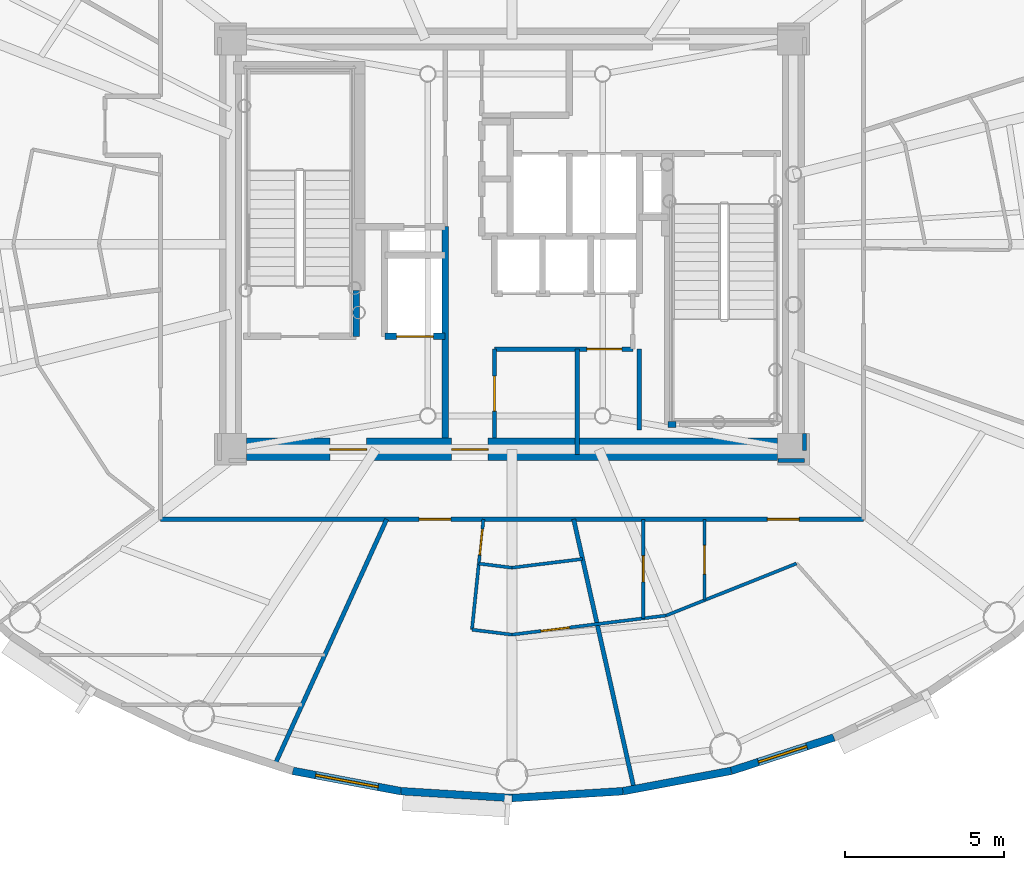
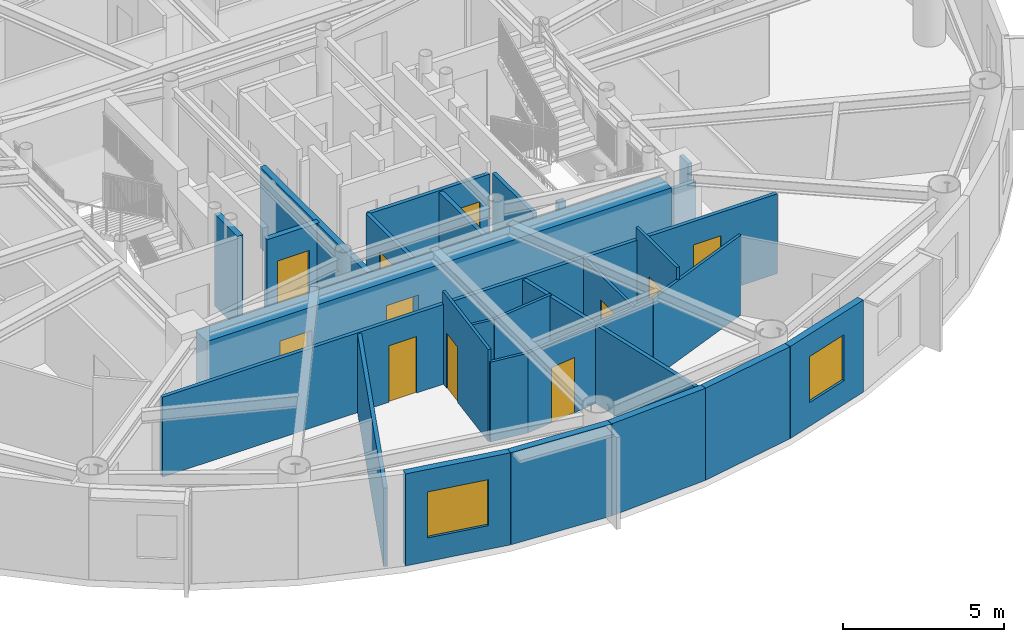
# One storey, part 6 of 18: 27 walls, 11 doors, 2 windows, 13 openings.
"""IFC4 building model written with IfcOpenShell, lengths in metres."""

from ifc_helpers import new_model, si_unit, direction, frame, frame_2d, origin, origin_2d, place, context, subcontext, project, spatial, rectangle, extrude, source, transform, mapped, material, layer, layer_set, type_object, element, fill, save


model = new_model("IFC4")

# Units and contexts
model_context = context("Model", 3, precision=1e-05, world=origin(), true_north=direction((0.0, 1.0)))
body_context = subcontext(model_context, "Body", "Model", "MODEL_VIEW")
ifc_project = project(units=[si_unit("LENGTHUNIT", "METRE"), si_unit("AREAUNIT", "SQUARE_METRE"), si_unit("VOLUMEUNIT", "CUBIC_METRE"), si_unit("PLANEANGLEUNIT", "RADIAN"), si_unit("MASSUNIT", "GRAM", prefix="KILO")], contexts=[model_context])

# Site, building, storey
site_placement = place(None, origin())
site = spatial("IfcSite", under=ifc_project, at=site_placement, CompositionType="ELEMENT")
building_placement = place(site_placement, origin())
building = spatial("IfcBuilding", under=site, at=building_placement, Name="Linh Dai School and Residence Tower", CompositionType="ELEMENT")
storey_placement = place(building_placement, frame((0.0, 0.0, 295.5)))
storey = spatial("IfcBuildingStorey", under=building, at=storey_placement, Name="L73", CompositionType="ELEMENT", Elevation=295.5)

# Wall, opening, window
ifc_material_1 = material(Name="Precast Concrete B45 (C35/45)", Category="concrete")
ifc_layer_1 = layer(ifc_material_1, 0.239990234375)
ifc_layer_set_1 = layer_set([ifc_layer_1], Name="Precast Concrete B45 (C35/45)")
wall_type_1 = type_object("IfcWallType", Name="EW-TC-240", PredefinedType="SOLIDWALL", material=ifc_layer_set_1)
wall_1_placement = place(storey_placement, frame((32.51123046875, 9.800048828125, 0.0), z_axis=(0.0, 0.0, 1.0), x_axis=(-0.982782655757, 0.184765395959, 0.0)))
wall_1 = element("IfcWall", 1, at=wall_1_placement, inside=storey, type_object=wall_type_1, Name="L73 Terracotta Exterior Wall 29", PredefinedType="SOLIDWALL", context=body_context, shape_type="SweptSolid", body=[
    extrude(rectangle(XDim=3.4619140625, YDim=0.239990234375, at=frame_2d((1.73095703125, 0.0))), origin(), (0.0, 0.0, 1.0), 3.5),
])
opening_1_placement = place(wall_1_placement, frame((0.73095703125, 0.0, 0.89990234375)))
opening_1 = element("IfcOpeningElement", 2, at=opening_1_placement, cuts=wall_1, Name="Opening W1", PredefinedType="OPENING", context=body_context, shape_type="SweptSolid", body=[
    extrude(rectangle(XDim=2.0, YDim=1.75, at=origin_2d()), frame((1.0, 0.1298828125, 0.875), z_axis=(0.0, -1.0, 0.0), x_axis=(1.0, 0.0, 0.0)), (0.0, 0.0, 1.0), 0.260009765625),
])
ifc_material_2 = material(Name="Double Low-E Insulated Glazing", Category="glass")
window_type_1 = type_object("IfcWindowType", Name="WN-RES-2000x1750", PartitioningType="DOUBLE_PANEL_VERTICAL", PredefinedType="WINDOW", material=ifc_material_2)
shared_shape_1 = source(origin(), body_context, "Body", "SweptSolid", [
    extrude(rectangle(XDim=2.0, YDim=1.75, at=origin_2d()), frame((1.0, 0.030029296875, 0.875), z_axis=(0.0, -1.0, 0.0), x_axis=(1.0, 0.0, 0.0)), (0.0, 0.0, 1.0), 0.06005859375),
])
window_1_placement = place(opening_1_placement, origin())
window_1 = element("IfcWindow", 3, at=window_1_placement, inside=storey, type_object=window_type_1, Name="L73 Exterior Window 29.1", OverallHeight=1.75, OverallWidth=2.0, PartitioningType="DOUBLE_PANEL_VERTICAL", PredefinedType="WINDOW", context=body_context, shape_type="MappedRepresentation", body=[
    mapped(shared_shape_1, transform((0.0, 0.0, 0.0), x_axis=(1.0, 0.0, 0.0), y_axis=(0.0, 1.0, 0.0), z_axis=(0.0, 0.0, 1.0), scale=1.0)),
])
fill(opening_1, window_1)

# Walls
for number, where, z_axis, x_axis, name in (
    (4, (36.0, 9.5849609375, 0.0), (0.0, 0.0, 1.0), (-0.998104946479, 0.061534671648, 0.0), "L73 Terracotta Exterior Wall 30"),
    (5, (39.48876953125, 9.800048828125, 0.0), (0.0, 0.0, 1.0), (-0.998104946479, -0.061534671648, 0.0), "L73 Terracotta Exterior Wall 31"),
):
    element("IfcWall", number, at=place(storey_placement, frame(where, z_axis=z_axis, x_axis=x_axis)), inside=storey, type_object=wall_type_1, Name=name, PredefinedType="SOLIDWALL", context=body_context, shape_type="SweptSolid", body=[
        extrude(rectangle(XDim=3.495361328125, YDim=0.239990234375, at=frame_2d((1.74755859375, 0.0))), origin(), (0.0, 0.0, 1.0), 3.5),
    ])
wall_2_placement = place(storey_placement, frame((42.89111328125, 10.439697265625, 0.0), z_axis=(0.0, 0.0, 1.0), x_axis=(-0.982782655757, -0.184765395959, 0.0)))
element("IfcWall", 6, at=wall_2_placement, inside=storey, type_object=wall_type_1, Name="L73 Terracotta Exterior Wall 32", PredefinedType="SOLIDWALL", context=body_context, shape_type="SweptSolid", body=[
    extrude(rectangle(XDim=3.4619140625, YDim=0.239990234375, at=frame_2d((1.73095703125, 0.0))), origin(), (0.0, 0.0, 1.0), 3.5),
])

# Wall, opening, window
wall_3_placement = place(storey_placement, frame((46.123046875, 11.48779296875, 0.0), z_axis=(0.0, 0.0, 1.0), x_axis=(-0.95123136723, -0.308478339592, 0.0)))
wall_3 = element("IfcWall", 7, at=wall_3_placement, inside=storey, type_object=wall_type_1, Name="L73 Terracotta Exterior Wall 33", PredefinedType="SOLIDWALL", context=body_context, shape_type="SweptSolid", body=[
    extrude(rectangle(XDim=3.397705078125, YDim=0.239990234375, at=frame_2d((1.69873046875, 0.0))), origin(), (0.0, 0.0, 1.0), 3.5),
])
opening_2_placement = place(wall_3_placement, frame((0.89892578125, 0.0, 0.89990234375)))
opening_2 = element("IfcOpeningElement", 8, at=opening_2_placement, cuts=wall_3, Name="Opening W2", PredefinedType="OPENING", context=body_context, shape_type="SweptSolid", body=[
    extrude(rectangle(XDim=1.60009765625, YDim=1.75, at=origin_2d()), frame((0.800048828125, 0.1298828125, 0.875), z_axis=(0.0, -1.0, 0.0), x_axis=(1.0, 0.0, 0.0)), (0.0, 0.0, 1.0), 0.260009765625),
])
window_type_2 = type_object("IfcWindowType", Name="WN-RES-1600x1750", PartitioningType="DOUBLE_PANEL_VERTICAL", PredefinedType="WINDOW", material=ifc_material_2)
shared_shape_2 = source(origin(), body_context, "Body", "SweptSolid", [
    extrude(rectangle(XDim=1.60009765625, YDim=1.75, at=origin_2d()), frame((0.800048828125, 0.030029296875, 0.875), z_axis=(0.0, -1.0, 0.0), x_axis=(1.0, 0.0, 0.0)), (0.0, 0.0, 1.0), 0.06005859375),
])
window_2_placement = place(opening_2_placement, origin())
window_2 = element("IfcWindow", 9, at=window_2_placement, inside=storey, type_object=window_type_2, Name="L73 Exterior Window 33.1", OverallHeight=1.75, OverallWidth=1.60009765625, PartitioningType="DOUBLE_PANEL_VERTICAL", PredefinedType="WINDOW", context=body_context, shape_type="MappedRepresentation", body=[
    mapped(shared_shape_2, transform((0.0, 0.0, 0.0), x_axis=(1.0, 0.0, 0.0), y_axis=(0.0, 1.0, 0.0), z_axis=(0.0, 0.0, 1.0), scale=1.0)),
])
fill(opening_2, window_2)

# Wall, openings, doors
ifc_material_3 = material(Name="Autoclaved Aerated Concrete Blockwork", Category="masonry")
ifc_layer_2 = layer(ifc_material_3, 0.135009765625)
ifc_layer_set_2 = layer_set([ifc_layer_2], Name="Autoclaved Aerated Concrete Blockwork")
wall_type_2 = type_object("IfcWallType", Name="IW-CORR-135-EI90", PredefinedType="PARTITIONING", material=ifc_layer_set_2)
wall_4_placement = place(storey_placement, frame((24.949951171875, 18.35009765625, 0.0), z_axis=(0.0, 0.0, 1.0), x_axis=(1.0, 0.0, 0.0)))
wall_4 = element("IfcWall", 10, at=wall_4_placement, inside=storey, type_object=wall_type_2, Name="L73 Interior Partition Wall 017", PredefinedType="PARTITIONING", context=body_context, shape_type="SweptSolid", body=[
    extrude(rectangle(XDim=22.10009765625, YDim=0.135009765625, at=frame_2d((11.050048828125, 0.0))), origin(), (0.0, 0.0, 1.0), 3.034912109375),
])
opening_3_placement = place(wall_4_placement, frame((8.130615234375, 0.0, 0.0)))
opening_3 = element("IfcOpeningElement", 11, at=opening_3_placement, cuts=wall_4, Name="Opening D03", PredefinedType="OPENING", context=body_context, shape_type="SweptSolid", body=[
    extrude(rectangle(XDim=1.0, YDim=2.14990234375, at=origin_2d()), frame((0.5, 0.07763671875, 1.074951171875), z_axis=(0.0, -1.0, 0.0), x_axis=(1.0, 0.0, 0.0)), (0.0, 0.0, 1.0), 0.155029296875),
])
opening_4_placement = place(wall_4_placement, frame((19.08056640625, 0.0, 0.0)))
opening_4 = element("IfcOpeningElement", 12, at=opening_4_placement, cuts=wall_4, Name="Opening D03", PredefinedType="OPENING", context=body_context, shape_type="SweptSolid", body=[
    extrude(rectangle(XDim=1.0, YDim=2.14990234375, at=origin_2d()), frame((0.5, 0.07763671875, 1.074951171875), z_axis=(0.0, -1.0, 0.0), x_axis=(1.0, 0.0, 0.0)), (0.0, 0.0, 1.0), 0.155029296875),
])
ifc_material_4 = material(Name="Fire-Rated Solid Timber Entrance Door", Category="wood")
door_type_1 = type_object("IfcDoorType", Name="DR-FLAT-1000x2150-FD60S", OperationType="NOTDEFINED", PredefinedType="DOOR", material=ifc_material_4)
shared_shape_3 = source(origin(), body_context, "Body", "SweptSolid", [
    extrude(rectangle(XDim=1.0, YDim=2.14990234375, at=origin_2d()), frame((0.5, 0.02490234375, 1.074951171875), z_axis=(0.0, -1.0, 0.0), x_axis=(1.0, 0.0, 0.0)), (0.0, 0.0, 1.0), 0.050048828125),
])
door_1_placement = place(opening_3_placement, origin())
door_1 = element("IfcDoor", 13, at=door_1_placement, inside=storey, type_object=door_type_1, Name="L73 U7305 Apartment Entrance Door", OperationType="SINGLE_SWING_RIGHT", OverallHeight=2.14990234375, OverallWidth=1.0, PredefinedType="DOOR", context=body_context, shape_type="MappedRepresentation", body=[
    mapped(shared_shape_3, transform((0.0, 0.0, 0.0), x_axis=(1.0, 0.0, 0.0), y_axis=(0.0, 1.0, 0.0), z_axis=(0.0, 0.0, 1.0), scale=1.0)),
])
fill(opening_3, door_1)
door_2_placement = place(opening_4_placement, origin())
door_2 = element("IfcDoor", 14, at=door_2_placement, inside=storey, type_object=door_type_1, Name="L73 U7306 Apartment Entrance Door", OperationType="SINGLE_SWING_LEFT", OverallHeight=2.14990234375, OverallWidth=1.0, PredefinedType="DOOR", context=body_context, shape_type="MappedRepresentation", body=[
    mapped(shared_shape_3, transform((0.0, 0.0, 0.0), x_axis=(1.0, 0.0, 0.0), y_axis=(0.0, 1.0, 0.0), z_axis=(0.0, 0.0, 1.0), scale=1.0)),
])
fill(opening_4, door_2)

# Wall
wall_5_placement = place(storey_placement, frame((28.537353515625, 10.61962890625, 0.0), z_axis=(0.0, 0.0, 1.0), x_axis=(0.414582330606, 0.910011808247, 0.0)))
element("IfcWall", 15, at=wall_5_placement, inside=storey, type_object=wall_type_2, Name="L73 Interior Partition Wall 025", PredefinedType="PARTITIONING", context=body_context, shape_type="SweptSolid", body=[
    extrude(rectangle(XDim=8.49462890625, YDim=0.135009765625, at=frame_2d((4.247314453125, 0.0))), origin(), (0.0, 0.0, 1.0), 2.985107421875),
])

# Wall, opening, door
wall_6_placement = place(storey_placement, frame((35.449951171875, 20.89990234375, 0.0), z_axis=(0.0, 0.0, 1.0), x_axis=(0.0, 1.0, 0.0)))
wall_6 = element("IfcWall", 16, at=wall_6_placement, inside=storey, type_object=wall_type_2, Name="L73 Interior Partition Wall 049", PredefinedType="PARTITIONING", context=body_context, shape_type="SweptSolid", body=[
    extrude(rectangle(XDim=2.800048828125, YDim=0.135009765625, at=frame_2d((1.39990234375, 0.0))), origin(), (0.0, 0.0, 1.0), 3.0849609375),
])
opening_5_placement = place(wall_6_placement, frame((0.85009765625, 0.0, 0.0)))
opening_5 = element("IfcOpeningElement", 17, at=opening_5_placement, cuts=wall_6, Name="Opening D07", PredefinedType="OPENING", context=body_context, shape_type="SweptSolid", body=[
    extrude(rectangle(XDim=1.10009765625, YDim=2.14990234375, at=origin_2d()), frame((0.550048828125, 0.07763671875, 1.074951171875), z_axis=(0.0, -1.0, 0.0), x_axis=(1.0, 0.0, 0.0)), (0.0, 0.0, 1.0), 0.155029296875),
])
ifc_material_5 = material(Name="Fire-Rated Louvred Steel Plant Door", Category="steel")
door_type_2 = type_object("IfcDoorType", Name="DR-PLT-1100x2150-FD60S", OperationType="NOTDEFINED", PredefinedType="DOOR", material=ifc_material_5)
shared_shape_4 = source(origin(), body_context, "Body", "SweptSolid", [
    extrude(rectangle(XDim=1.10009765625, YDim=2.14990234375, at=origin_2d()), frame((0.550048828125, 0.02490234375, 1.074951171875), z_axis=(0.0, -1.0, 0.0), x_axis=(1.0, 0.0, 0.0)), (0.0, 0.0, 1.0), 0.050048828125),
])
door_3_placement = place(opening_5_placement, origin())
door_3 = element("IfcDoor", 18, at=door_3_placement, inside=storey, type_object=door_type_2, Name="L73 Floor Electrical Switchroom Door", OperationType="SINGLE_SWING_LEFT", OverallHeight=2.14990234375, OverallWidth=1.10009765625, PredefinedType="DOOR", context=body_context, shape_type="MappedRepresentation", body=[
    mapped(shared_shape_4, transform((0.0, 0.0, 0.0), x_axis=(1.0, 0.0, 0.0), y_axis=(0.0, 1.0, 0.0), z_axis=(0.0, 0.0, 1.0), scale=1.0)),
])
fill(opening_5, door_3)

wall_7_placement = place(storey_placement, frame((35.449951171875, 23.699951171875, 0.0), z_axis=(0.0, 0.0, 1.0), x_axis=(1.0, 0.0, 0.0)))
wall_7 = element("IfcWall", 19, at=wall_7_placement, inside=storey, type_object=wall_type_2, Name="L73 Interior Partition Wall 050", PredefinedType="PARTITIONING", context=body_context, shape_type="SweptSolid", body=[
    extrude(rectangle(XDim=4.35009765625, YDim=0.135009765625, at=frame_2d((2.175048828125, 0.0))), origin(), (0.0, 0.0, 1.0), 3.0849609375),
])
opening_6_placement = place(wall_7_placement, frame((2.905029296875, 0.0, 0.0)))
opening_6 = element("IfcOpeningElement", 20, at=opening_6_placement, cuts=wall_7, Name="Opening D07", PredefinedType="OPENING", context=body_context, shape_type="SweptSolid", body=[
    extrude(rectangle(XDim=1.10009765625, YDim=2.14990234375, at=origin_2d()), frame((0.550048828125, 0.07763671875, 1.074951171875), z_axis=(0.0, -1.0, 0.0), x_axis=(1.0, 0.0, 0.0)), (0.0, 0.0, 1.0), 0.155029296875),
])
door_4_placement = place(opening_6_placement, origin())
door_4 = element("IfcDoor", 21, at=door_4_placement, inside=storey, type_object=door_type_2, Name="L73 Telecom Node Room Door", OperationType="SINGLE_SWING_RIGHT", OverallHeight=2.14990234375, OverallWidth=1.10009765625, PredefinedType="DOOR", context=body_context, shape_type="MappedRepresentation", body=[
    mapped(shared_shape_4, transform((0.0, 0.0, 0.0), x_axis=(1.0, 0.0, 0.0), y_axis=(0.0, 1.0, 0.0), z_axis=(0.0, 0.0, 1.0), scale=1.0)),
])
fill(opening_6, door_4)

# Walls
wall_8_placement = place(storey_placement, frame((37.939208984375, 18.35009765625, 0.0), z_axis=(0.0, 0.0, 1.0), x_axis=(0.218784248646, -0.975773258777, 0.0)))
element("IfcWall", 22, at=wall_8_placement, inside=storey, type_object=wall_type_2, Name="L73 Interior Partition Wall 063", PredefinedType="PARTITIONING", context=body_context, shape_type="SweptSolid", body=[
    extrude(rectangle(XDim=8.699462890625, YDim=0.135009765625, at=frame_2d((4.349609375, 0.0))), origin(), (0.0, 0.0, 1.0), 2.985107421875),
])
wall_9_placement = place(storey_placement, frame((40.0, 23.699951171875, 0.0), z_axis=(0.0, 0.0, 1.0), x_axis=(0.0, -1.0, 0.0)))
element("IfcWall", 23, at=wall_9_placement, inside=storey, type_object=wall_type_2, Name="L73 Interior Partition Wall 092", PredefinedType="PARTITIONING", context=body_context, shape_type="SweptSolid", body=[
    extrude(rectangle(XDim=2.5400390625, YDim=0.135009765625, at=frame_2d((1.27001953125, 0.0))), origin(), (0.0, 0.0, 1.0), 3.034912109375),
])
wall_10_placement = place(storey_placement, frame((44.360107421875, 20.199951171875, 0.0), z_axis=(0.0, 0.0, 1.0), x_axis=(1.0, 0.0, 0.0)))
element("IfcWall", 24, at=wall_10_placement, inside=storey, type_object=wall_type_2, Name="L73 Interior Partition Wall 098", PredefinedType="PARTITIONING", context=body_context, shape_type="SweptSolid", body=[
    extrude(rectangle(XDim=0.83984375, YDim=0.135009765625, at=frame_2d((0.419921875, 0.0))), origin(), (0.0, 0.0, 1.0), 3.034912109375),
])
wall_11_placement = place(storey_placement, frame((45.199951171875, 20.507568359375, 0.0), z_axis=(0.0, 0.0, 1.0), x_axis=(0.0, 1.0, 0.0)))
element("IfcWall", 25, at=wall_11_placement, inside=storey, type_object=wall_type_2, Name="L73 Interior Partition Wall 099", PredefinedType="PARTITIONING", context=body_context, shape_type="SweptSolid", body=[
    extrude(rectangle(XDim=0.532470703125, YDim=0.135009765625, at=frame_2d((0.26611328125, 0.0))), origin(), (0.0, 0.0, 1.0), 3.5),
])
ifc_layer_3 = layer(ifc_material_3, 0.14990234375)
ifc_layer_set_3 = layer_set([ifc_layer_3], Name="Autoclaved Aerated Concrete Blockwork")
wall_type_3 = type_object("IfcWallType", Name="IW-SCH-150-EI60", PredefinedType="PARTITIONING", material=ifc_layer_set_3)
wall_12_placement = place(storey_placement, frame((38.050048828125, 20.3798828125, 0.0), z_axis=(0.0, 0.0, 1.0), x_axis=(0.0, 1.0, 0.0)))
element("IfcWall", 26, at=wall_12_placement, inside=storey, type_object=wall_type_3, Name="L73 Interior Partition Wall 064", PredefinedType="PARTITIONING", context=body_context, shape_type="SweptSolid", body=[
    extrude(rectangle(XDim=3.320068359375, YDim=0.14990234375, at=frame_2d((1.66015625, 0.0))), origin(), (0.0, 0.0, 1.0), 3.034912109375),
])
ifc_material_6 = material(Name="Concrete B45 (C35/45)", Category="concrete")
ifc_layer_4 = layer(ifc_material_6, 0.199951171875)
ifc_layer_set_4 = layer_set([ifc_layer_4], Name="Concrete B45 (C35/45)")
wall_type_4 = type_object("IfcWallType", Name="IW-SHAFT-200-EI120", PredefinedType="PARTITIONING", material=ifc_layer_set_4)
wall_13_placement = place(storey_placement, frame((31.10009765625, 24.10009765625, 0.0), z_axis=(0.0, 0.0, 1.0), x_axis=(0.0, 1.0, 0.0)))
element("IfcWall", 27, at=wall_13_placement, inside=storey, type_object=wall_type_4, Name="L73 Interior Partition Wall 028", PredefinedType="PARTITIONING", context=body_context, shape_type="SweptSolid", body=[
    extrude(rectangle(XDim=1.43994140625, YDim=0.199951171875, at=frame_2d((0.719970703125, 0.0))), origin(), (0.0, 0.0, 1.0), 3.5),
])

# Wall, opening, door
wall_14_placement = place(storey_placement, frame((32.0, 24.10009765625, 0.0), z_axis=(0.0, 0.0, 1.0), x_axis=(1.0, 0.0, 0.0)))
wall_14 = element("IfcWall", 28, at=wall_14_placement, inside=storey, type_object=wall_type_4, Name="L73 Interior Partition Wall 032", PredefinedType="PARTITIONING", context=body_context, shape_type="SweptSolid", body=[
    extrude(rectangle(XDim=1.89990234375, YDim=0.199951171875, at=frame_2d((0.949951171875, 0.0))), origin(), (0.0, 0.0, 1.0), 3.0849609375),
])
opening_7_placement = place(wall_14_placement, frame((0.375, 0.0, 0.0)))
opening_7 = element("IfcOpeningElement", 29, at=opening_7_placement, cuts=wall_14, Name="Opening LD-FF2", PredefinedType="OPENING", context=body_context, shape_type="SweptSolid", body=[
    extrude(rectangle(XDim=1.14990234375, YDim=2.14990234375, at=origin_2d()), frame((0.574951171875, 0.10986328125, 1.074951171875), z_axis=(0.0, -1.0, 0.0), x_axis=(1.0, 0.0, 0.0)), (0.0, 0.0, 1.0), 0.219970703125),
])
ifc_material_7 = material(Name="Fire-Rated Stainless Steel Firefighting Lift Door", Category="steel")
door_type_3 = type_object("IfcDoorType", Name="DR-LD-FF-1150x2150-FD120", OperationType="DOUBLE_DOOR_SLIDING", PredefinedType="USERDEFINED", material=ifc_material_7)
shared_shape_5 = source(origin(), body_context, "Body", "SweptSolid", [
    extrude(rectangle(XDim=1.14990234375, YDim=2.14990234375, at=origin_2d()), frame((0.574951171875, 0.02490234375, 1.074951171875), z_axis=(0.0, -1.0, 0.0), x_axis=(1.0, 0.0, 0.0)), (0.0, 0.0, 1.0), 0.050048828125),
])
door_5_placement = place(opening_7_placement, origin())
door_5 = element("IfcDoor", 30, at=door_5_placement, inside=storey, type_object=door_type_3, Name="L73 Lift FF2 Sliding Landing Door", ObjectType="LANDING DOOR", OperationType="DOUBLE_DOOR_SLIDING", OverallHeight=2.14990234375, OverallWidth=1.14990234375, PredefinedType="USERDEFINED", context=body_context, shape_type="MappedRepresentation", body=[
    mapped(shared_shape_5, transform((0.0, 0.0, 0.0), x_axis=(1.0, 0.0, 0.0), y_axis=(0.0, 1.0, 0.0), z_axis=(0.0, 0.0, 1.0), scale=1.0)),
])
fill(opening_7, door_5)

# Walls
wall_15_placement = place(storey_placement, frame((33.89990234375, 20.89990234375, 0.0), z_axis=(0.0, 0.0, 1.0), x_axis=(0.0, 1.0, 0.0)))
element("IfcWall", 31, at=wall_15_placement, inside=storey, type_object=wall_type_4, Name="L73 Interior Partition Wall 034", PredefinedType="PARTITIONING", context=body_context, shape_type="SweptSolid", body=[
    extrude(rectangle(XDim=6.650146484375, YDim=0.199951171875, at=frame_2d((3.3251953125, 0.0))), origin(), (0.0, 0.0, 1.0), 3.0849609375),
])
wall_16_placement = place(storey_placement, frame((40.89990234375, 21.330078125, 0.0), z_axis=(0.0, 0.0, 1.0), x_axis=(1.0, 0.0, 0.0)))
element("IfcWall", 32, at=wall_16_placement, inside=storey, type_object=wall_type_4, Name="L73 Interior Partition Wall 075", PredefinedType="PARTITIONING", context=body_context, shape_type="SweptSolid", body=[
    extrude(rectangle(XDim=0.25, YDim=0.199951171875, at=frame_2d((0.125, 0.0))), origin(), (0.0, 0.0, 1.0), 3.034912109375),
])

# Wall, opening, door
ifc_material_8 = material(Name="Gypsum Plasterboard Acoustic Stud Partition", Category="masonry")
ifc_layer_5 = layer(ifc_material_8, 0.10009765625)
ifc_layer_set_5 = layer_set([ifc_layer_5], Name="Gypsum Plasterboard Acoustic Stud Partition")
wall_type_5 = type_object("IfcWallType", Name="IW-UNIT-100", PredefinedType="PARTITIONING", material=ifc_layer_set_5)
wall_17_placement = place(storey_placement, frame((34.7412109375, 14.878173828125, 0.0), z_axis=(0.0, 0.0, 1.0), x_axis=(0.103304807989, 0.994649745713, 0.0)))
wall_17 = element("IfcWall", 33, at=wall_17_placement, inside=storey, type_object=wall_type_5, Name="L73 Interior Partition Wall 037", PredefinedType="PARTITIONING", context=body_context, shape_type="SweptSolid", body=[
    extrude(rectangle(XDim=3.490478515625, YDim=0.10009765625, at=frame_2d((1.7451171875, 0.0))), origin(), (0.0, 0.0, 1.0), 3.5),
])
opening_8_placement = place(wall_17_placement, frame((2.35986328125, 0.0, 0.0)))
opening_8 = element("IfcOpeningElement", 34, at=opening_8_placement, cuts=wall_17, Name="Opening D06", PredefinedType="OPENING", context=body_context, shape_type="SweptSolid", body=[
    extrude(rectangle(XDim=0.820068359375, YDim=2.10009765625, at=origin_2d()), frame((0.41015625, 0.06005859375, 1.050048828125), z_axis=(0.0, -1.0, 0.0), x_axis=(1.0, 0.0, 0.0)), (0.0, 0.0, 1.0), 0.1201171875),
])
ifc_material_9 = material(Name="Moisture-Resistant Timber Bathroom Door", Category="wood")
door_type_4 = type_object("IfcDoorType", Name="DR-WET-820x2100", OperationType="NOTDEFINED", PredefinedType="DOOR", material=ifc_material_9)
shared_shape_6 = source(origin(), body_context, "Body", "SweptSolid", [
    extrude(rectangle(XDim=0.820068359375, YDim=2.10009765625, at=origin_2d()), frame((0.41015625, 0.02490234375, 1.050048828125), z_axis=(0.0, -1.0, 0.0), x_axis=(1.0, 0.0, 0.0)), (0.0, 0.0, 1.0), 0.050048828125),
])
door_6_placement = place(opening_8_placement, origin())
door_6 = element("IfcDoor", 35, at=door_6_placement, inside=storey, type_object=door_type_4, Name="L73 Apartment U7305 Bathroom Door", OperationType="SINGLE_SWING_LEFT", OverallHeight=2.10009765625, OverallWidth=0.820068359375, PredefinedType="DOOR", context=body_context, shape_type="MappedRepresentation", body=[
    mapped(shared_shape_6, transform((0.0, 0.0, 0.0), x_axis=(1.0, 0.0, 0.0), y_axis=(0.0, 1.0, 0.0), z_axis=(0.0, 0.0, 1.0), scale=1.0)),
])
fill(opening_8, door_6)

# Walls
wall_18_placement = place(storey_placement, frame((34.7412109375, 14.878173828125, 0.0), z_axis=(0.0, 0.0, 1.0), x_axis=(0.992384109965, -0.123181891074, 0.0)))
element("IfcWall", 36, at=wall_18_placement, inside=storey, type_object=wall_type_5, Name="L73 Interior Partition Wall 038", PredefinedType="PARTITIONING", context=body_context, shape_type="SweptSolid", body=[
    extrude(rectangle(XDim=1.2685546875, YDim=0.10009765625, at=frame_2d((0.63427734375, 0.0))), origin(), (0.0, 0.0, 1.0), 3.034912109375),
])
wall_19_placement = place(storey_placement, frame((34.95703125, 16.9560546875, 0.0), z_axis=(0.0, 0.0, 1.0), x_axis=(0.99242017646, -0.122890981589, 0.0)))
element("IfcWall", 37, at=wall_19_placement, inside=storey, type_object=wall_type_5, Name="L73 Interior Partition Wall 039", PredefinedType="PARTITIONING", context=body_context, shape_type="SweptSolid", body=[
    extrude(rectangle(XDim=1.051025390625, YDim=0.10009765625, at=frame_2d((0.525390625, 0.0))), origin(), (0.0, 0.0, 1.0), 3.034912109375),
])

# Wall, opening, door
wall_20_placement = place(storey_placement, frame((36.0, 14.721923828125, 0.0), z_axis=(0.0, 0.0, 1.0), x_axis=(0.99239360053, 0.123105408601, 0.0)))
wall_20 = element("IfcWall", 38, at=wall_20_placement, inside=storey, type_object=wall_type_5, Name="L73 Interior Partition Wall 056", PredefinedType="PARTITIONING", context=body_context, shape_type="SweptSolid", body=[
    extrude(rectangle(XDim=4.882568359375, YDim=0.10009765625, at=frame_2d((2.44140625, 0.0))), origin(), (0.0, 0.0, 1.0), 3.034912109375),
])
opening_9_placement = place(wall_20_placement, frame((0.91943359375, 0.0, 0.0)))
opening_9 = element("IfcOpeningElement", 39, at=opening_9_placement, cuts=wall_20, Name="Opening D05", PredefinedType="OPENING", context=body_context, shape_type="SweptSolid", body=[
    extrude(rectangle(XDim=0.89990234375, YDim=2.10009765625, at=origin_2d()), frame((0.449951171875, 0.06005859375, 1.050048828125), z_axis=(0.0, -1.0, 0.0), x_axis=(1.0, 0.0, 0.0)), (0.0, 0.0, 1.0), 0.1201171875),
])
ifc_material_10 = material(Name="Engineered Timber Internal Door", Category="wood")
door_type_5 = type_object("IfcDoorType", Name="DR-INT-900x2100", OperationType="NOTDEFINED", PredefinedType="DOOR", material=ifc_material_10)
shared_shape_7 = source(origin(), body_context, "Body", "SweptSolid", [
    extrude(rectangle(XDim=0.89990234375, YDim=2.10009765625, at=origin_2d()), frame((0.449951171875, 0.02490234375, 1.050048828125), z_axis=(0.0, -1.0, 0.0), x_axis=(1.0, 0.0, 0.0)), (0.0, 0.0, 1.0), 0.050048828125),
])
door_7_placement = place(opening_9_placement, origin())
door_7 = element("IfcDoor", 40, at=door_7_placement, inside=storey, type_object=door_type_5, Name="L73 Apartment U7305 Kitchen Door", OperationType="SINGLE_SWING_RIGHT", OverallHeight=2.10009765625, OverallWidth=0.89990234375, PredefinedType="DOOR", context=body_context, shape_type="MappedRepresentation", body=[
    mapped(shared_shape_7, transform((0.0, 0.0, 0.0), x_axis=(1.0, 0.0, 0.0), y_axis=(0.0, 1.0, 0.0), z_axis=(0.0, 0.0, 1.0), scale=1.0)),
])
fill(opening_9, door_7)

# Wall
wall_21_placement = place(storey_placement, frame((36.0, 16.826904296875, 0.0), z_axis=(0.0, 0.0, 1.0), x_axis=(0.992401670171, 0.123040339085, 0.0)))
element("IfcWall", 41, at=wall_21_placement, inside=storey, type_object=wall_type_5, Name="L73 Interior Partition Wall 057", PredefinedType="PARTITIONING", context=body_context, shape_type="SweptSolid", body=[
    extrude(rectangle(XDim=2.236328125, YDim=0.10009765625, at=frame_2d((1.1181640625, 0.0))), origin(), (0.0, 0.0, 1.0), 3.034912109375),
])

# Wall, opening, door
wall_22_placement = place(storey_placement, frame((40.12646484375, 15.233642578125, 0.0), z_axis=(0.0, 0.0, 1.0), x_axis=(0.0, 1.0, 0.0)))
wall_22 = element("IfcWall", 42, at=wall_22_placement, inside=storey, type_object=wall_type_5, Name="L73 Interior Partition Wall 072", PredefinedType="PARTITIONING", context=body_context, shape_type="SweptSolid", body=[
    extrude(rectangle(XDim=3.116455078125, YDim=0.10009765625, at=frame_2d((1.55810546875, 0.0))), origin(), (0.0, 0.0, 1.0), 3.034912109375),
])
opening_10_placement = place(wall_22_placement, frame((1.148193359375, 0.0, 0.0)))
opening_10 = element("IfcOpeningElement", 43, at=opening_10_placement, cuts=wall_22, Name="Opening D06", PredefinedType="OPENING", context=body_context, shape_type="SweptSolid", body=[
    extrude(rectangle(XDim=0.820068359375, YDim=2.10009765625, at=origin_2d()), frame((0.41015625, 0.06005859375, 1.050048828125), z_axis=(0.0, -1.0, 0.0), x_axis=(1.0, 0.0, 0.0)), (0.0, 0.0, 1.0), 0.1201171875),
])
door_8_placement = place(opening_10_placement, origin())
door_8 = element("IfcDoor", 44, at=door_8_placement, inside=storey, type_object=door_type_4, Name="L73 Apartment U7306 Bathroom 1 Door", OperationType="SINGLE_SWING_RIGHT", OverallHeight=2.10009765625, OverallWidth=0.820068359375, PredefinedType="DOOR", context=body_context, shape_type="MappedRepresentation", body=[
    mapped(shared_shape_6, transform((0.0, 0.0, 0.0), x_axis=(1.0, 0.0, 0.0), y_axis=(0.0, 1.0, 0.0), z_axis=(0.0, 0.0, 1.0), scale=1.0)),
])
fill(opening_10, door_8)

# Wall
wall_23_placement = place(storey_placement, frame((40.845458984375, 15.322998046875, 0.0), z_axis=(0.0, 0.0, 1.0), x_axis=(0.928815810282, 0.370541752804, 0.0)))
element("IfcWall", 45, at=wall_23_placement, inside=storey, type_object=wall_type_5, Name="L73 Interior Partition Wall 073", PredefinedType="PARTITIONING", context=body_context, shape_type="SweptSolid", body=[
    extrude(rectangle(XDim=4.413818359375, YDim=0.10009765625, at=frame_2d((2.20703125, 0.0))), origin(), (0.0, 0.0, 1.0), 3.034912109375),
])

# Wall, opening, door
wall_24_placement = place(storey_placement, frame((42.051025390625, 15.803955078125, 0.0), z_axis=(0.0, 0.0, 1.0), x_axis=(0.0, 1.0, 0.0)))
wall_24 = element("IfcWall", 46, at=wall_24_placement, inside=storey, type_object=wall_type_5, Name="L73 Interior Partition Wall 077", PredefinedType="PARTITIONING", context=body_context, shape_type="SweptSolid", body=[
    extrude(rectangle(XDim=2.546142578125, YDim=0.10009765625, at=frame_2d((1.27294921875, 0.0))), origin(), (0.0, 0.0, 1.0), 3.5),
])
opening_11_placement = place(wall_24_placement, frame((0.822998046875, 0.0, 0.0)))
opening_11 = element("IfcOpeningElement", 47, at=opening_11_placement, cuts=wall_24, Name="Opening D05", PredefinedType="OPENING", context=body_context, shape_type="SweptSolid", body=[
    extrude(rectangle(XDim=0.89990234375, YDim=2.10009765625, at=origin_2d()), frame((0.449951171875, 0.06005859375, 1.050048828125), z_axis=(0.0, -1.0, 0.0), x_axis=(1.0, 0.0, 0.0)), (0.0, 0.0, 1.0), 0.1201171875),
])
door_9_placement = place(opening_11_placement, origin())
door_9 = element("IfcDoor", 48, at=door_9_placement, inside=storey, type_object=door_type_5, Name="L73 Apartment U7306 Kitchen Door", OperationType="SINGLE_SWING_LEFT", OverallHeight=2.10009765625, OverallWidth=0.89990234375, PredefinedType="DOOR", context=body_context, shape_type="MappedRepresentation", body=[
    mapped(shared_shape_7, transform((0.0, 0.0, 0.0), x_axis=(1.0, 0.0, 0.0), y_axis=(0.0, 1.0, 0.0), z_axis=(0.0, 0.0, 1.0), scale=1.0)),
])
fill(opening_11, door_9)

# Wall, openings, doors
ifc_layer_6 = layer(ifc_material_6, 0.699951171875)
ifc_layer_set_6 = layer_set([ifc_layer_6], Name="Concrete B45 (C35/45)")
wall_type_6 = type_object("IfcWallType", Name="WL-CORE700", PredefinedType="SHEAR", material=ifc_layer_set_6)
wall_25_placement = place(storey_placement, frame((44.35009765625, 20.550048828125, 0.0), z_axis=(0.0, 0.0, 1.0), x_axis=(-1.0, 0.0, 0.0)))
wall_25 = element("IfcWall", 49, at=wall_25_placement, inside=storey, type_object=wall_type_6, Name="L73 Central Core Shear Wall S", PredefinedType="SHEAR", context=body_context, shape_type="SweptSolid", body=[
    extrude(rectangle(XDim=16.7001953125, YDim=0.699951171875, at=frame_2d((8.35009765625, 0.0))), origin(), (0.0, 0.0, 1.0), 3.050048828125),
])
opening_12_placement = place(wall_25_placement, frame((12.925048828125, 0.0, 0.0)))
opening_12 = element("IfcOpeningElement", 50, at=opening_12_placement, cuts=wall_25, Name="Opening D02", PredefinedType="OPENING", context=body_context, shape_type="SweptSolid", body=[
    extrude(rectangle(XDim=1.14990234375, YDim=2.14990234375, at=origin_2d()), frame((0.574951171875, 0.35986328125, 1.074951171875), z_axis=(0.0, -1.0, 0.0), x_axis=(1.0, 0.0, 0.0)), (0.0, 0.0, 1.0), 0.719970703125),
])
opening_13_placement = place(wall_25_placement, frame((9.10009765625, 0.0, 0.0)))
opening_13 = element("IfcOpeningElement", 51, at=opening_13_placement, cuts=wall_25, Name="Opening D02", PredefinedType="OPENING", context=body_context, shape_type="SweptSolid", body=[
    extrude(rectangle(XDim=1.14990234375, YDim=2.14990234375, at=origin_2d()), frame((0.574951171875, 0.35986328125, 1.074951171875), z_axis=(0.0, -1.0, 0.0), x_axis=(1.0, 0.0, 0.0)), (0.0, 0.0, 1.0), 0.719970703125),
])
ifc_material_11 = material(Name="Fire-Rated Glazed Steel Lobby Door", Category="steel")
door_type_6 = type_object("IfcDoorType", Name="DR-LOBBY-1150x2150-FD90S", OperationType="NOTDEFINED", PredefinedType="DOOR", material=ifc_material_11)
shared_shape_8 = source(origin(), body_context, "Body", "SweptSolid", [
    extrude(rectangle(XDim=1.14990234375, YDim=2.14990234375, at=origin_2d()), frame((0.574951171875, 0.02490234375, 1.074951171875), z_axis=(0.0, -1.0, 0.0), x_axis=(1.0, 0.0, 0.0)), (0.0, 0.0, 1.0), 0.050048828125),
])
door_10_placement = place(opening_12_placement, origin())
door_10 = element("IfcDoor", 52, at=door_10_placement, inside=storey, type_object=door_type_6, Name="L73 Firefighting Lobby Door", OperationType="SINGLE_SWING_RIGHT", OverallHeight=2.14990234375, OverallWidth=1.14990234375, PredefinedType="DOOR", context=body_context, shape_type="MappedRepresentation", body=[
    mapped(shared_shape_8, transform((0.0, 0.0, 0.0), x_axis=(1.0, 0.0, 0.0), y_axis=(0.0, 1.0, 0.0), z_axis=(0.0, 0.0, 1.0), scale=1.0)),
])
fill(opening_12, door_10)
door_11_placement = place(opening_13_placement, origin())
door_11 = element("IfcDoor", 53, at=door_11_placement, inside=storey, type_object=door_type_6, Name="L73 Passenger Foyer Access Door", OperationType="SINGLE_SWING_RIGHT", OverallHeight=2.14990234375, OverallWidth=1.14990234375, PredefinedType="DOOR", context=body_context, shape_type="MappedRepresentation", body=[
    mapped(shared_shape_8, transform((0.0, 0.0, 0.0), x_axis=(1.0, 0.0, 0.0), y_axis=(0.0, 1.0, 0.0), z_axis=(0.0, 0.0, 1.0), scale=1.0)),
])
fill(opening_13, door_11)

save(model, "model.ifc")
